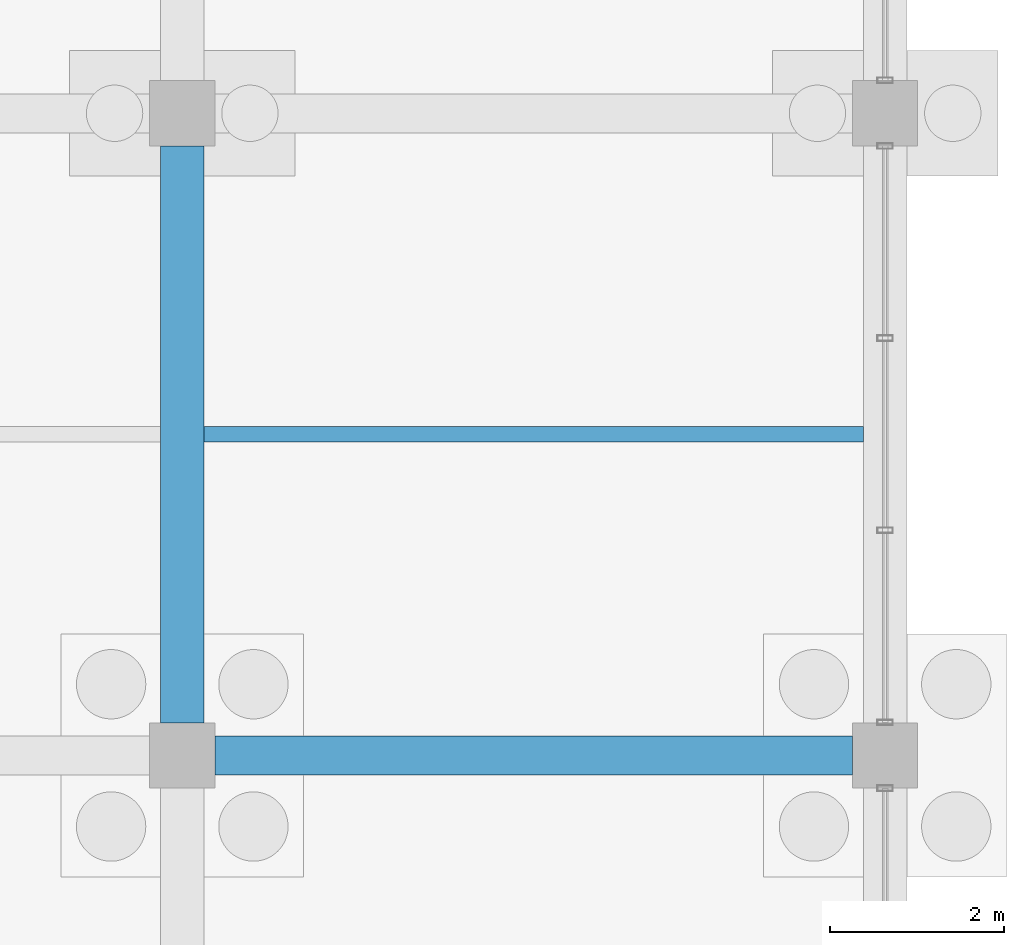
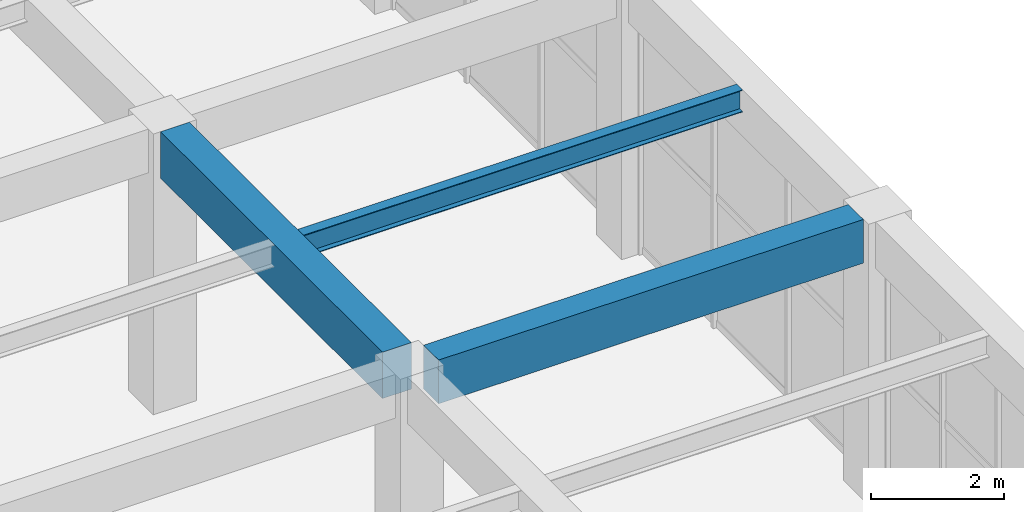
# One storey, part 66 of 140: 3 beams.
"""IFC4 building model written with IfcOpenShell, lengths in metres."""

from ifc_helpers import new_model, si_unit, direction, frame, origin, origin_2d, place, context, subcontext, project, spatial, rectangle, i_section, extrude, material, material_profile, profile_set, type_object, element, save


model = new_model("IFC4")

# Units and contexts
model_context = context("Model", 3, precision=1e-05, world=origin(), true_north=direction((0.0, 1.0)))
body_context = subcontext(model_context, "Body", "Model", "MODEL_VIEW")
ifc_project = project(units=[si_unit("LENGTHUNIT", "METRE"), si_unit("AREAUNIT", "SQUARE_METRE"), si_unit("VOLUMEUNIT", "CUBIC_METRE"), si_unit("PLANEANGLEUNIT", "RADIAN"), si_unit("MASSUNIT", "GRAM", prefix="KILO")], contexts=[model_context])

# Site, building, storey
site_placement = place(None, origin())
site = spatial("IfcSite", under=ifc_project, at=site_placement, CompositionType="ELEMENT")
building_placement = place(site_placement, origin())
building = spatial("IfcBuilding", under=site, at=building_placement, Name="Cimatlan Art Gallery", CompositionType="ELEMENT")
storey_placement = place(building_placement, origin())
storey = spatial("IfcBuildingStorey", under=building, at=storey_placement, Name="L00", CompositionType="ELEMENT", Elevation=0.0)

# Beams
ifc_material_1 = material(Name="Concrete C40/50", Category="concrete")
ifc_material_profile_1 = material_profile(ifc_material_1, rectangle(XDim=0.449951171875, YDim=0.800048828125, at=origin_2d()), Name="RC450X800")
ifc_profile_set_1 = profile_set([ifc_material_profile_1], Name="Concrete C40/50")
beam_type_1 = type_object("IfcBeamType", Name="BM-RC-450X800", PredefinedType="BEAM", material=ifc_profile_set_1)
beam_1_placement = place(storey_placement, frame((42.875, 83.10009765625, 4.735107421875), z_axis=(1.0, 0.0, 0.0), x_axis=(0.0, 1.0, 0.0)))
element("IfcBeam", 1, at=beam_1_placement, inside=storey, type_object=beam_type_1, Name="BM-X-L00-05-11", PredefinedType="BEAM", context=body_context, shape_type="SweptSolid", body=[
    extrude(rectangle(XDim=0.449951171875, YDim=0.800048828125, at=origin_2d()), origin(), (0.0, 0.0, 1.0), 7.35009765625),
])
ifc_material_profile_2 = material_profile(ifc_material_1, rectangle(XDim=0.5, YDim=0.85009765625, at=origin_2d()), Name="RC500X850")
ifc_profile_set_2 = profile_set([ifc_material_profile_2], Name="Concrete C40/50")
beam_type_2 = type_object("IfcBeamType", Name="BM-RC-500X850", PredefinedType="BEAM", material=ifc_profile_set_2)
beam_2_placement = place(storey_placement, frame((42.5, 83.47509765625, 4.7099609375), z_axis=(0.0, 1.0, 0.0), x_axis=(-1.0, 0.0, 0.0)))
element("IfcBeam", 2, at=beam_2_placement, inside=storey, type_object=beam_type_2, Name="BM-Y-L00-05-11", PredefinedType="BEAM", context=body_context, shape_type="SweptSolid", body=[
    extrude(rectangle(XDim=0.5, YDim=0.85009765625, at=origin_2d()), origin(), (0.0, 0.0, 1.0), 6.64990234375),
])
ifc_material_2 = material(Name="Steel ASTM A992 Grade 50", Category="steel")
ifc_material_profile_3 = material_profile(ifc_material_2, i_section(OverallWidth=0.177978515625, OverallDepth=0.406982421875, WebThickness=0.0078125, FlangeThickness=0.0126953125, at=origin_2d()), Name="W16X40")
ifc_profile_set_3 = profile_set([ifc_material_profile_3], Name="Steel ASTM A992 Grade 50")
beam_type_3 = type_object("IfcBeamType", Name="BM-STL-W16X40", PredefinedType="JOIST", material=ifc_profile_set_3)
beam_3_placement = place(storey_placement, frame((42.75, 86.800048828125, 4.931396484375), z_axis=(1.0, 0.0, 0.0), x_axis=(0.0, 1.0, 0.0)))
element("IfcBeam", 3, at=beam_3_placement, inside=storey, type_object=beam_type_3, Name="JST-L00-05-11", PredefinedType="JOIST", context=body_context, shape_type="SweptSolid", body=[
    extrude(i_section(OverallWidth=0.177978515625, OverallDepth=0.406982421875, WebThickness=0.0078125, FlangeThickness=0.0126953125, at=origin_2d()), origin(), (0.0, 0.0, 1.0), 7.60009765625),
])

save(model, "model.ifc")
